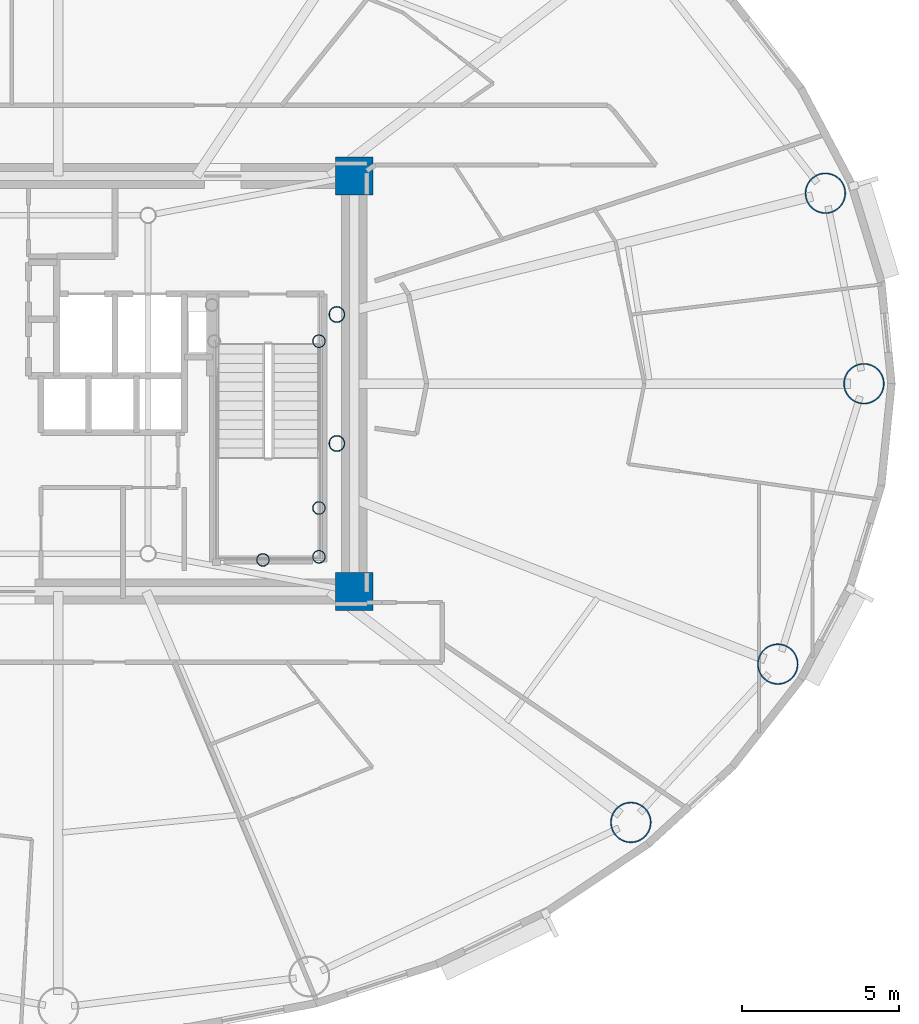
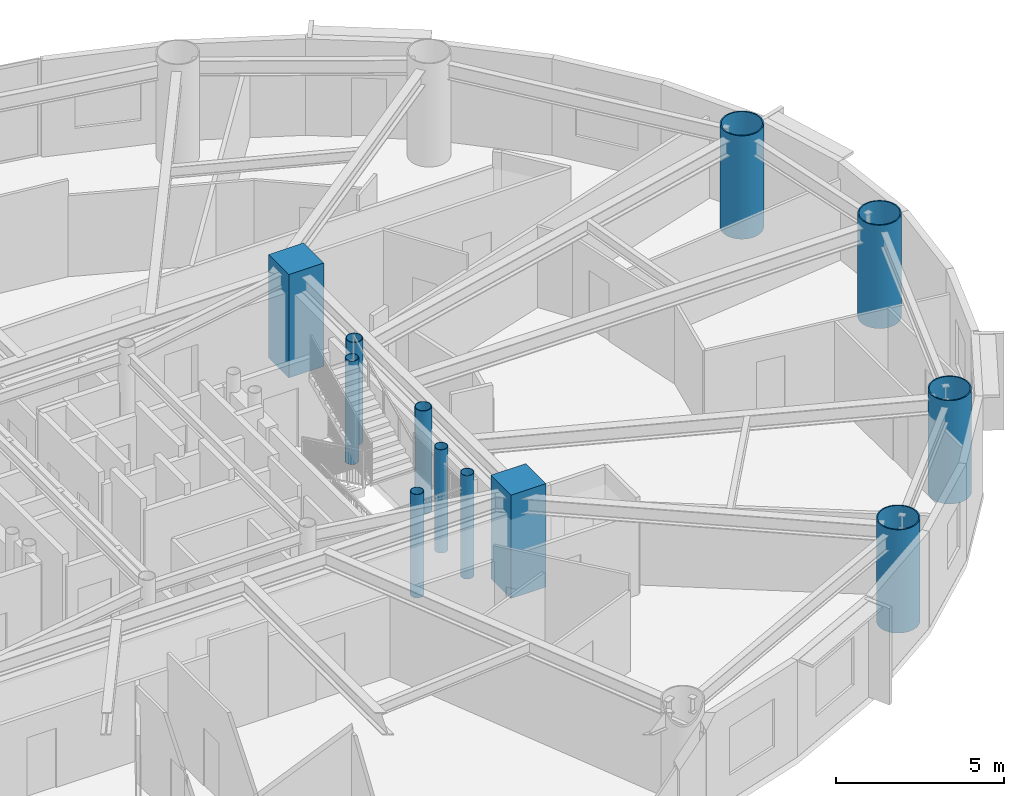
# One storey, part 2 of 20: 12 columns.
"""IFC4 building model written with IfcOpenShell, lengths in metres."""

import ifcopenshell
import ifcopenshell.guid

model = None  # the IFC model being written
_history = None  # IfcOwnerHistory: only IFC2X3 demands one
_inside = {}  # id of a spatial element -> (the spatial element, [elements in it])
_under = {}  # id of a project, library or spatial element -> (it, [spatial elements below it])
_declared = {}  # id of a project -> (the project, [libraries it declares])
_typed = {}  # id of a type object -> (the type object, [elements of that type])
_made_of = {}  # id of a material, layer set ... -> (it, [elements and type objects made of it])


def new_model(schema):
    """Start an empty IFC model of exactly this schema.

    Asked for "IFC4X3", IfcOpenShell would pick the latest addendum, in which some entities
    have other attributes; the version numbers below select the first issue.
    IFC2X3 requires an IfcOwnerHistory on every rooted entity: one is made here for all.
    """
    global model, _history
    if schema == "IFC4X3":
        model = ifcopenshell.file(schema_version=(4, 3, 0, 0))
    else:
        model = ifcopenshell.file(schema=schema)
    _inside.clear()
    _under.clear()
    _declared.clear()
    _typed.clear()
    _made_of.clear()
    _history = None
    if model.schema == "IFC2X3":
        org = make("IfcOrganization", Name="unknown")
        user = make(
            "IfcPersonAndOrganization",
            ThePerson=make("IfcPerson", FamilyName="unknown"),
            TheOrganization=org,
        )
        app = make(
            "IfcApplication",
            ApplicationDeveloper=org,
            Version="unknown",
            ApplicationFullName="unknown",
            ApplicationIdentifier="unknown",
        )
        _history = make(
            "IfcOwnerHistory",
            OwningUser=user,
            OwningApplication=app,
            ChangeAction="ADDED",
            CreationDate=0,
        )
    return model


def make(cls, **values):
    """One entity of the class cls with the attributes given. An attribute that is None is left unset."""
    return model.create_entity(
        cls, **{name: value for name, value in values.items() if value is not None}
    )


def rooted(cls, **values):
    """An entity with a GlobalId (a new one), such as an element, a storey or a relation."""
    return make(cls, GlobalId=ifcopenshell.guid.new(), OwnerHistory=_history, **values)


def si_unit(unit_type, name, prefix=None):
    """IfcSIUnit, for example si_unit("LENGTHUNIT", "METRE", prefix="MILLI")."""
    return make("IfcSIUnit", UnitType=unit_type, Prefix=prefix, Name=name)


def assignment(units):
    """IfcUnitAssignment: the units of a project."""
    return None if units is None else make("IfcUnitAssignment", Units=units)


def point(xyz):
    """IfcCartesianPoint."""
    return None if xyz is None else make("IfcCartesianPoint", Coordinates=xyz)


def direction(xyz):
    """IfcDirection."""
    return None if xyz is None else make("IfcDirection", DirectionRatios=xyz)


def frame(location, z_axis=None, x_axis=None):
    """IfcAxis2Placement3D, a coordinate frame: its origin and axes. An axis left out is left unset."""
    return make(
        "IfcAxis2Placement3D",
        Location=point(location),
        Axis=direction(z_axis),
        RefDirection=direction(x_axis),
    )


def frame_2d(location, x_axis=None):
    """IfcAxis2Placement2D, a coordinate frame in the plane: its origin and x axis."""
    return make(
        "IfcAxis2Placement2D", Location=point(location), RefDirection=direction(x_axis)
    )


def origin():
    """The frame at (0, 0, 0) with its axes left unset."""
    return frame((0.0, 0.0, 0.0))


def origin_2d():
    """The frame at (0, 0) in the plane with its x axis left unset."""
    return frame_2d((0.0, 0.0))


def place(relative_to, where):
    """IfcLocalPlacement: puts the frame where relative to a parent placement (None: the world)."""
    return make(
        "IfcLocalPlacement", PlacementRelTo=relative_to, RelativePlacement=where
    )


def context(
    kind, dimensions, precision=None, world=None, true_north=None, identifier=None
):
    """IfcGeometricRepresentationContext, for example the 3D "Model" context."""
    return make(
        "IfcGeometricRepresentationContext",
        ContextIdentifier=identifier,
        ContextType=kind,
        CoordinateSpaceDimension=dimensions,
        Precision=precision,
        WorldCoordinateSystem=world,
        TrueNorth=true_north,
    )


def subcontext(parent, identifier, kind, view, scale=None):
    """IfcGeometricRepresentationSubContext, for example "Body" below "Model"."""
    return make(
        "IfcGeometricRepresentationSubContext",
        ContextIdentifier=identifier,
        ContextType=kind,
        ParentContext=parent,
        TargetScale=scale,
        TargetView=view,
    )


def project(units=None, contexts=None):
    """IfcProject with its units and contexts."""
    return rooted(
        "IfcProject",
        Name="project",
        RepresentationContexts=contexts,
        UnitsInContext=assignment(units),
    )


def spatial(cls, under=None, at=None, **own):
    """A site, building, storey or space (cls), placed at a placement, below another one or the project."""
    s = rooted(cls, ObjectPlacement=at, **own)
    if under is not None:
        _under.setdefault(under.id(), (under, []))[1].append(s)
    return s


def profile(cls, at=None, kind="AREA", **sizes):
    """A parametric profile (cls). Its sizes go by their IFC names, for example OverallWidth=200.0."""
    return make(cls, ProfileType=kind, Position=at, **sizes)


def rectangle(**sizes):
    """IfcRectangleProfileDef."""
    return profile("IfcRectangleProfileDef", **sizes)


def hollow_circle(**sizes):
    """IfcCircleHollowProfileDef."""
    return profile("IfcCircleHollowProfileDef", **sizes)


def extrude(swept, where, along, depth):
    """IfcExtrudedAreaSolid: the profile swept, set in the frame where, extruded along a direction by depth."""
    return make(
        "IfcExtrudedAreaSolid",
        SweptArea=swept,
        Position=where,
        ExtrudedDirection=direction(along),
        Depth=depth,
    )


def shape(context_of_items, identifier, shape_type, items):
    """IfcShapeRepresentation: the items that make up one representation, for example the "Body"."""
    return make(
        "IfcShapeRepresentation",
        ContextOfItems=context_of_items,
        RepresentationIdentifier=identifier,
        RepresentationType=shape_type,
        Items=items,
    )


def material(Name=None, Category=None):
    """IfcMaterial."""
    return make("IfcMaterial", Name=Name, Category=Category)


def material_profile(
    of_material, cross_section, Name=None, Category=None, Priority=None
):
    """IfcMaterialProfile: a cross section and its material."""
    return make(
        "IfcMaterialProfile",
        Name=Name,
        Material=of_material,
        Profile=cross_section,
        Priority=Priority,
        Category=Category,
    )


def profile_set(profiles, Name=None, composite=None):
    """IfcMaterialProfileSet."""
    return make(
        "IfcMaterialProfileSet",
        Name=Name,
        MaterialProfiles=profiles,
        CompositeProfile=composite,
    )


def made_of(thing, what):
    """Note that an element or type object is made of a material, layer set ...; save() writes the relation."""
    if what is not None:
        _made_of.setdefault(what.id(), (what, []))[1].append(thing)
    return thing


def type_object(cls, material=None, **own):
    """A type object (cls), such as IfcWallType, which elements share."""
    return made_of(rooted(cls, **own), material)


def element(
    cls,
    number,
    at=None,
    inside=None,
    cuts=None,
    type_object=None,
    material=None,
    context=None,
    identifier="Body",
    shape_type=None,
    held_by="IfcProductDefinitionShape",
    body=None,
    shapes=None,
    **own,
):
    """One element of the class cls, such as IfcWall. Its Tag is "e" and its number.

    at: its placement. inside: the storey or other place that contains it. cuts: it is an
    opening in that element (IfcRelVoidsElement). A single representation is given by context,
    identifier, shape_type and body (its items); several are given by shapes. held_by: the class
    of the entity that holds the representations. save() writes the other relations.
    """
    e = rooted(cls, Tag="e%d" % number, ObjectPlacement=at, **own)
    if body is not None:
        shapes = [shape(context, identifier, shape_type, body)]
    if shapes is not None:
        e.Representation = make(held_by, Representations=shapes)
    if inside is not None:
        _inside.setdefault(inside.id(), (inside, []))[1].append(e)
    if cuts is not None:
        rooted(
            "IfcRelVoidsElement", RelatingBuildingElement=cuts, RelatedOpeningElement=e
        )
    if type_object is not None:
        _typed.setdefault(type_object.id(), (type_object, []))[1].append(e)
    return made_of(e, material)


def aggregate(whole, parts):
    """IfcRelAggregates: a whole, such as a stair, and the parts it consists of."""
    return rooted("IfcRelAggregates", RelatingObject=whole, RelatedObjects=parts)


def save(model, path):
    """Write the relations noted so far, then the file.

    IfcRelAggregates (storeys below a building ...), IfcRelContainedInSpatialStructure (elements
    in a storey), IfcRelDefinesByType, IfcRelAssociatesMaterial and IfcRelDeclares: one each for
    every whole, place, type object, material and project.
    """
    for whole, parts in _under.values():
        aggregate(whole, parts)
    for where, things in _inside.values():
        rooted(
            "IfcRelContainedInSpatialStructure",
            RelatedElements=things,
            RelatingStructure=where,
        )
    for kind, things in _typed.values():
        rooted("IfcRelDefinesByType", RelatedObjects=things, RelatingType=kind)
    for what, things in _made_of.values():
        rooted("IfcRelAssociatesMaterial", RelatedObjects=things, RelatingMaterial=what)
    for by, libraries in _declared.values():
        rooted("IfcRelDeclares", RelatingContext=by, RelatedDefinitions=libraries)
    model.write(path)


model = new_model("IFC4")

# Units and contexts
model_context = context("Model", 3, precision=1e-05, world=origin(), true_north=direction((0.0, 1.0)))
body_context = subcontext(model_context, "Body", "Model", "MODEL_VIEW")
ifc_project = project(units=[si_unit("LENGTHUNIT", "METRE"), si_unit("AREAUNIT", "SQUARE_METRE"), si_unit("VOLUMEUNIT", "CUBIC_METRE"), si_unit("PLANEANGLEUNIT", "RADIAN"), si_unit("MASSUNIT", "GRAM", prefix="KILO")], contexts=[model_context])

# Site, building, storey
site_placement = place(None, origin())
site = spatial("IfcSite", under=ifc_project, at=site_placement, CompositionType="ELEMENT")
building_placement = place(site_placement, origin())
building = spatial("IfcBuilding", under=site, at=building_placement, Name="Linh Dai School and Residence Tower", CompositionType="ELEMENT")
storey_placement = place(building_placement, frame((0.0, 0.0, 163.64990234375)))
storey = spatial("IfcBuildingStorey", under=building, at=storey_placement, Name="L39", CompositionType="ELEMENT", Elevation=163.64990234375)

# Columns
ifc_material_1 = material(Name="Concrete B60 (C50/60)", Category="concrete")
ifc_material_profile_1 = material_profile(ifc_material_1, rectangle(XDim=1.199951171875, YDim=1.199951171875, at=origin_2d()), Name="RC 1200x1200")
ifc_profile_set_1 = profile_set([ifc_material_profile_1], Name="Concrete B60 (C50/60)")
column_type_1 = type_object("IfcColumnType", Name="COL-CC2", PredefinedType="COLUMN", material=ifc_profile_set_1)
for number, where, z_axis, x_axis, name in (
    (1, (45.39990234375, 20.39990234375, 0.0), (0.0, 0.0, 1.0), (1.0, 0.0, 0.0), "L39 Core Corner Pier CC2"),
    (2, (45.39990234375, 33.60009765625, 0.0), (0.0, 0.0, 1.0), (1.0, 0.0, 0.0), "L39 Core Corner Pier CC3"),
):
    element("IfcColumn", number, at=place(storey_placement, frame(where, z_axis=z_axis, x_axis=x_axis)), inside=storey, type_object=column_type_1, Name=name, PredefinedType="COLUMN", context=body_context, shape_type="SweptSolid", body=[
        extrude(rectangle(XDim=1.199951171875, YDim=1.199951171875, at=origin_2d()), origin(), (0.0, 0.0, 1.0), 3.75),
    ])
ifc_material_2 = material(Name="Structural Steel S355JR", Category="steel")
ifc_material_profile_2 = material_profile(ifc_material_2, hollow_circle(Radius=0.203125, WallThickness=0.01611328125, at=origin_2d()), Name="CHS 406.4x16")
ifc_profile_set_2 = profile_set([ifc_material_profile_2], Name="Structural Steel S355JR")
column_type_2 = type_object("IfcColumnType", Name="COL-EC", PredefinedType="COLUMN", material=ifc_profile_set_2)
for number, where, z_axis, x_axis, name in (
    (3, (44.280029296875, 21.5, 0.0), (0.0, 0.0, 1.0), (1.0, 0.0, 0.0), "L39 Stair Shaft Landing Support Pier ST2SE"),
    (4, (44.280029296875, 23.050048828125, 0.0), (0.0, 0.0, 1.0), (1.0, 0.0, 0.0), "L39 Stair Shaft Landing Support Pier ST2NE"),
    (5, (42.5, 21.39990234375, 0.0), (0.0, 0.0, 1.0), (1.0, 0.0, 0.0), "L39 Stair Shaft Landing Support Pier ST2MS"),
    (6, (44.280029296875, 28.35009765625, 0.0), (0.0, 0.0, 1.0), (1.0, 0.0, 0.0), "L39 Stair Shaft Landing Support Pier ST2N2"),
):
    element("IfcColumn", number, at=place(storey_placement, frame(where, z_axis=z_axis, x_axis=x_axis)), inside=storey, type_object=column_type_2, Name=name, PredefinedType="COLUMN", context=body_context, shape_type="SweptSolid", body=[
        extrude(hollow_circle(Radius=0.203125, WallThickness=0.01611328125, at=origin_2d()), origin(), (0.0, 0.0, 1.0), 3.75),
    ])
ifc_material_profile_3 = material_profile(ifc_material_2, hollow_circle(Radius=0.64990234375, WallThickness=0.0400390625, at=origin_2d()), Name="CHS 1300x40")
ifc_profile_set_3 = profile_set([ifc_material_profile_3], Name="Structural Steel S355JR")
column_type_3 = type_object("IfcColumnType", Name="COL-MC4", PredefinedType="COLUMN", material=ifc_profile_set_3)
for number, where, z_axis, x_axis, name in (
    (7, (61.60009765625, 27.0, 0.0), (0.0, 0.0, 1.0), (1.0, 0.0, 0.0), "L39 Perimeter CFT Mega-Column MC01"),
    (8, (60.37451171875, 33.053466796875, 0.0), (0.0, 0.0, 1.0), (1.0, 0.0, 0.0), "L39 Perimeter CFT Mega-Column MC02"),
    (9, (54.1923828125, 13.058349609375, 0.0), (0.0, 0.0, 1.0), (1.0, 0.0, 0.0), "L39 Perimeter CFT Mega-Column MC15"),
    (10, (58.862548828125, 18.0888671875, 0.0), (0.0, 0.0, 1.0), (1.0, 0.0, 0.0), "L39 Perimeter CFT Mega-Column MC16"),
):
    element("IfcColumn", number, at=place(storey_placement, frame(where, z_axis=z_axis, x_axis=x_axis)), inside=storey, type_object=column_type_3, Name=name, PredefinedType="COLUMN", context=body_context, shape_type="SweptSolid", body=[
        extrude(hollow_circle(Radius=0.64990234375, WallThickness=0.0400390625, at=origin_2d()), origin(), (0.0, 0.0, 1.0), 3.75),
    ])
ifc_material_profile_4 = material_profile(ifc_material_2, hollow_circle(Radius=0.25390625, WallThickness=0.02001953125, at=origin_2d()), Name="CHS 508x20")
ifc_profile_set_4 = profile_set([ifc_material_profile_4], Name="Structural Steel S355JR")
column_type_4 = type_object("IfcColumnType", Name="COL-MCP", PredefinedType="COLUMN", material=ifc_profile_set_4)
for number, where, z_axis, x_axis, name in (
    (11, (44.85009765625, 25.10009765625, 0.0), (0.0, 0.0, 1.0), (1.0, 0.0, 0.0), "L39 Sky-Lounge Core Anchor Pier S"),
    (12, (44.85009765625, 29.199951171875, 0.0), (0.0, 0.0, 1.0), (1.0, 0.0, 0.0), "L39 Sky-Lounge Core Anchor Pier N"),
):
    element("IfcColumn", number, at=place(storey_placement, frame(where, z_axis=z_axis, x_axis=x_axis)), inside=storey, type_object=column_type_4, Name=name, PredefinedType="COLUMN", context=body_context, shape_type="SweptSolid", body=[
        extrude(hollow_circle(Radius=0.25390625, WallThickness=0.02001953125, at=origin_2d()), origin(), (0.0, 0.0, 1.0), 3.75),
    ])

save(model, "model.ifc")
